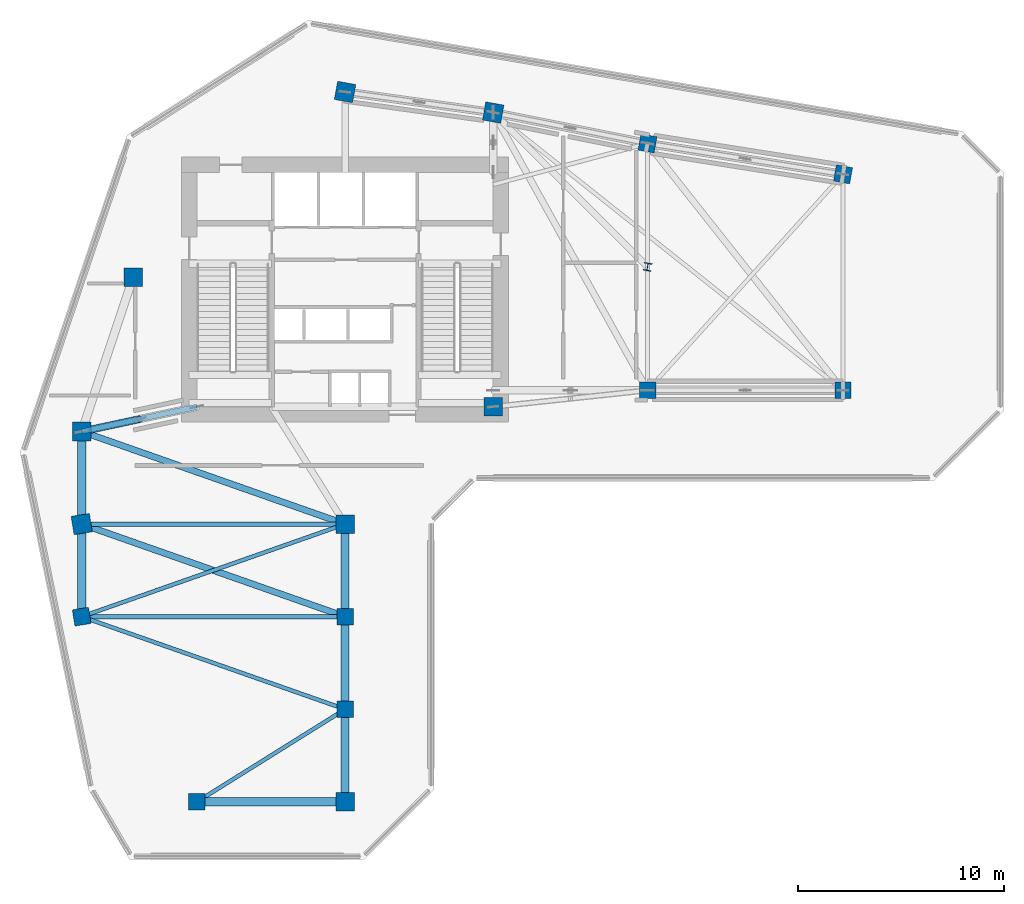
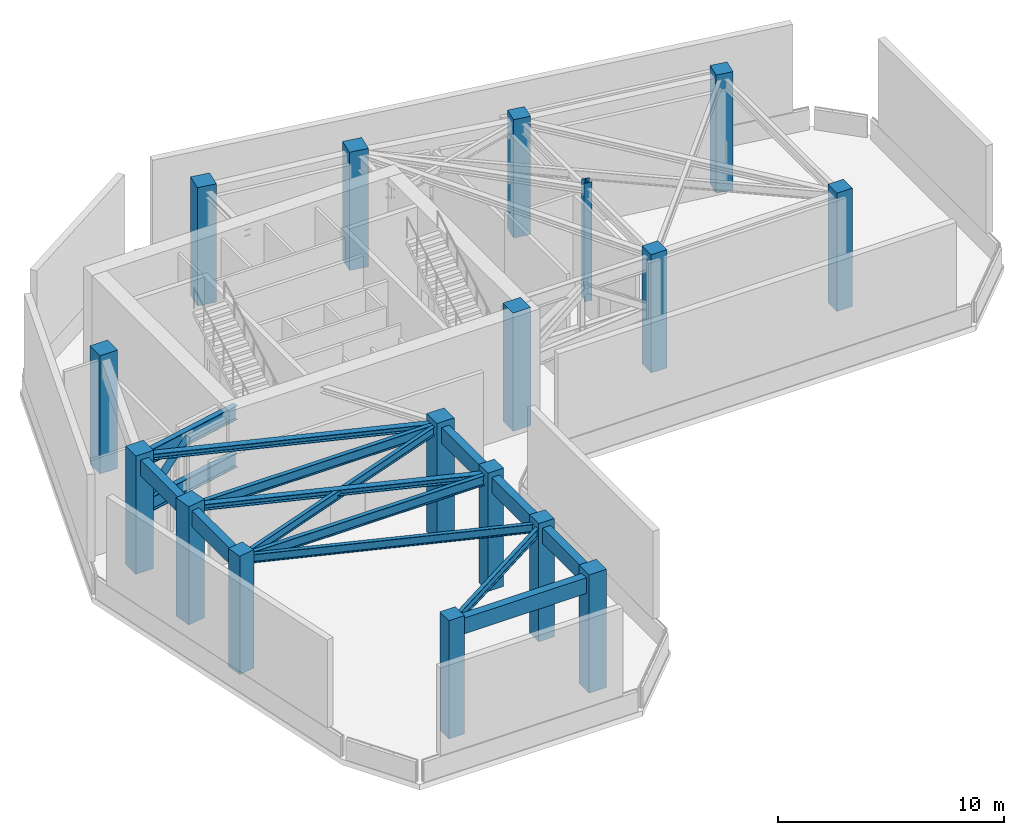
# One storey, part 1 of 10: 17 columns, 15 beams, 1 member.
"""IFC4 building model written with IfcOpenShell, lengths in metres."""

import ifcopenshell
import ifcopenshell.guid

model = None  # the IFC model being written
_history = None  # IfcOwnerHistory: only IFC2X3 demands one
_inside = {}  # id of a spatial element -> (the spatial element, [elements in it])
_under = {}  # id of a project, library or spatial element -> (it, [spatial elements below it])
_declared = {}  # id of a project -> (the project, [libraries it declares])
_typed = {}  # id of a type object -> (the type object, [elements of that type])
_made_of = {}  # id of a material, layer set ... -> (it, [elements and type objects made of it])


def new_model(schema):
    """Start an empty IFC model of exactly this schema.

    Asked for "IFC4X3", IfcOpenShell would pick the latest addendum, in which some entities
    have other attributes; the version numbers below select the first issue.
    IFC2X3 requires an IfcOwnerHistory on every rooted entity: one is made here for all.
    """
    global model, _history
    if schema == "IFC4X3":
        model = ifcopenshell.file(schema_version=(4, 3, 0, 0))
    else:
        model = ifcopenshell.file(schema=schema)
    _inside.clear()
    _under.clear()
    _declared.clear()
    _typed.clear()
    _made_of.clear()
    _history = None
    if model.schema == "IFC2X3":
        org = make("IfcOrganization", Name="unknown")
        user = make(
            "IfcPersonAndOrganization",
            ThePerson=make("IfcPerson", FamilyName="unknown"),
            TheOrganization=org,
        )
        app = make(
            "IfcApplication",
            ApplicationDeveloper=org,
            Version="unknown",
            ApplicationFullName="unknown",
            ApplicationIdentifier="unknown",
        )
        _history = make(
            "IfcOwnerHistory",
            OwningUser=user,
            OwningApplication=app,
            ChangeAction="ADDED",
            CreationDate=0,
        )
    return model


def make(cls, **values):
    """One entity of the class cls with the attributes given. An attribute that is None is left unset."""
    return model.create_entity(
        cls, **{name: value for name, value in values.items() if value is not None}
    )


def rooted(cls, **values):
    """An entity with a GlobalId (a new one), such as an element, a storey or a relation."""
    return make(cls, GlobalId=ifcopenshell.guid.new(), OwnerHistory=_history, **values)


def si_unit(unit_type, name, prefix=None):
    """IfcSIUnit, for example si_unit("LENGTHUNIT", "METRE", prefix="MILLI")."""
    return make("IfcSIUnit", UnitType=unit_type, Prefix=prefix, Name=name)


def assignment(units):
    """IfcUnitAssignment: the units of a project."""
    return None if units is None else make("IfcUnitAssignment", Units=units)


def point(xyz):
    """IfcCartesianPoint."""
    return None if xyz is None else make("IfcCartesianPoint", Coordinates=xyz)


def direction(xyz):
    """IfcDirection."""
    return None if xyz is None else make("IfcDirection", DirectionRatios=xyz)


def frame(location, z_axis=None, x_axis=None):
    """IfcAxis2Placement3D, a coordinate frame: its origin and axes. An axis left out is left unset."""
    return make(
        "IfcAxis2Placement3D",
        Location=point(location),
        Axis=direction(z_axis),
        RefDirection=direction(x_axis),
    )


def frame_2d(location, x_axis=None):
    """IfcAxis2Placement2D, a coordinate frame in the plane: its origin and x axis."""
    return make(
        "IfcAxis2Placement2D", Location=point(location), RefDirection=direction(x_axis)
    )


def origin():
    """The frame at (0, 0, 0) with its axes left unset."""
    return frame((0.0, 0.0, 0.0))


def origin_2d():
    """The frame at (0, 0) in the plane with its x axis left unset."""
    return frame_2d((0.0, 0.0))


def place(relative_to, where):
    """IfcLocalPlacement: puts the frame where relative to a parent placement (None: the world)."""
    return make(
        "IfcLocalPlacement", PlacementRelTo=relative_to, RelativePlacement=where
    )


def context(
    kind, dimensions, precision=None, world=None, true_north=None, identifier=None
):
    """IfcGeometricRepresentationContext, for example the 3D "Model" context."""
    return make(
        "IfcGeometricRepresentationContext",
        ContextIdentifier=identifier,
        ContextType=kind,
        CoordinateSpaceDimension=dimensions,
        Precision=precision,
        WorldCoordinateSystem=world,
        TrueNorth=true_north,
    )


def subcontext(parent, identifier, kind, view, scale=None):
    """IfcGeometricRepresentationSubContext, for example "Body" below "Model"."""
    return make(
        "IfcGeometricRepresentationSubContext",
        ContextIdentifier=identifier,
        ContextType=kind,
        ParentContext=parent,
        TargetScale=scale,
        TargetView=view,
    )


def project(units=None, contexts=None):
    """IfcProject with its units and contexts."""
    return rooted(
        "IfcProject",
        Name="project",
        RepresentationContexts=contexts,
        UnitsInContext=assignment(units),
    )


def spatial(cls, under=None, at=None, **own):
    """A site, building, storey or space (cls), placed at a placement, below another one or the project."""
    s = rooted(cls, ObjectPlacement=at, **own)
    if under is not None:
        _under.setdefault(under.id(), (under, []))[1].append(s)
    return s


def profile(cls, at=None, kind="AREA", **sizes):
    """A parametric profile (cls). Its sizes go by their IFC names, for example OverallWidth=200.0."""
    return make(cls, ProfileType=kind, Position=at, **sizes)


def rectangle(**sizes):
    """IfcRectangleProfileDef."""
    return profile("IfcRectangleProfileDef", **sizes)


def hollow_circle(**sizes):
    """IfcCircleHollowProfileDef."""
    return profile("IfcCircleHollowProfileDef", **sizes)


def i_section(**sizes):
    """IfcIShapeProfileDef."""
    return profile("IfcIShapeProfileDef", **sizes)


def extrude(swept, where, along, depth):
    """IfcExtrudedAreaSolid: the profile swept, set in the frame where, extruded along a direction by depth."""
    return make(
        "IfcExtrudedAreaSolid",
        SweptArea=swept,
        Position=where,
        ExtrudedDirection=direction(along),
        Depth=depth,
    )


def shape(context_of_items, identifier, shape_type, items):
    """IfcShapeRepresentation: the items that make up one representation, for example the "Body"."""
    return make(
        "IfcShapeRepresentation",
        ContextOfItems=context_of_items,
        RepresentationIdentifier=identifier,
        RepresentationType=shape_type,
        Items=items,
    )


def source(mapping_origin, context_of_items, identifier, shape_type, items):
    """IfcRepresentationMap: a shape defined once, which mapped items show again and again."""
    return make(
        "IfcRepresentationMap",
        MappingOrigin=mapping_origin,
        MappedRepresentation=shape(context_of_items, identifier, shape_type, items),
    )


def transform(
    local_origin,
    x_axis=None,
    y_axis=None,
    z_axis=None,
    scale=None,
    scale2=None,
    scale3=None,
    uniform=True,
):
    """IfcCartesianTransformationOperator3D, or its non-uniform kind. x_axis, y_axis, z_axis: its Axis1, 2, 3."""
    if uniform:
        return make(
            "IfcCartesianTransformationOperator3D",
            Axis1=direction(x_axis),
            Axis2=direction(y_axis),
            LocalOrigin=point(local_origin),
            Scale=scale,
            Axis3=direction(z_axis),
        )
    return make(
        "IfcCartesianTransformationOperator3DnonUniform",
        Axis1=direction(x_axis),
        Axis2=direction(y_axis),
        LocalOrigin=point(local_origin),
        Scale=scale,
        Axis3=direction(z_axis),
        Scale2=scale2,
        Scale3=scale3,
    )


def mapped(mapping_source, mapping_target):
    """IfcMappedItem: shows the shape of a source again, moved by a transform."""
    return make(
        "IfcMappedItem", MappingSource=mapping_source, MappingTarget=mapping_target
    )


def material(Name=None, Category=None):
    """IfcMaterial."""
    return make("IfcMaterial", Name=Name, Category=Category)


def material_profile(
    of_material, cross_section, Name=None, Category=None, Priority=None
):
    """IfcMaterialProfile: a cross section and its material."""
    return make(
        "IfcMaterialProfile",
        Name=Name,
        Material=of_material,
        Profile=cross_section,
        Priority=Priority,
        Category=Category,
    )


def profile_set(profiles, Name=None, composite=None):
    """IfcMaterialProfileSet."""
    return make(
        "IfcMaterialProfileSet",
        Name=Name,
        MaterialProfiles=profiles,
        CompositeProfile=composite,
    )


def made_of(thing, what):
    """Note that an element or type object is made of a material, layer set ...; save() writes the relation."""
    if what is not None:
        _made_of.setdefault(what.id(), (what, []))[1].append(thing)
    return thing


def type_object(cls, material=None, **own):
    """A type object (cls), such as IfcWallType, which elements share."""
    return made_of(rooted(cls, **own), material)


def element(
    cls,
    number,
    at=None,
    inside=None,
    cuts=None,
    type_object=None,
    material=None,
    context=None,
    identifier="Body",
    shape_type=None,
    held_by="IfcProductDefinitionShape",
    body=None,
    shapes=None,
    **own,
):
    """One element of the class cls, such as IfcWall. Its Tag is "e" and its number.

    at: its placement. inside: the storey or other place that contains it. cuts: it is an
    opening in that element (IfcRelVoidsElement). A single representation is given by context,
    identifier, shape_type and body (its items); several are given by shapes. held_by: the class
    of the entity that holds the representations. save() writes the other relations.
    """
    e = rooted(cls, Tag="e%d" % number, ObjectPlacement=at, **own)
    if body is not None:
        shapes = [shape(context, identifier, shape_type, body)]
    if shapes is not None:
        e.Representation = make(held_by, Representations=shapes)
    if inside is not None:
        _inside.setdefault(inside.id(), (inside, []))[1].append(e)
    if cuts is not None:
        rooted(
            "IfcRelVoidsElement", RelatingBuildingElement=cuts, RelatedOpeningElement=e
        )
    if type_object is not None:
        _typed.setdefault(type_object.id(), (type_object, []))[1].append(e)
    return made_of(e, material)


def aggregate(whole, parts):
    """IfcRelAggregates: a whole, such as a stair, and the parts it consists of."""
    return rooted("IfcRelAggregates", RelatingObject=whole, RelatedObjects=parts)


def save(model, path):
    """Write the relations noted so far, then the file.

    IfcRelAggregates (storeys below a building ...), IfcRelContainedInSpatialStructure (elements
    in a storey), IfcRelDefinesByType, IfcRelAssociatesMaterial and IfcRelDeclares: one each for
    every whole, place, type object, material and project.
    """
    for whole, parts in _under.values():
        aggregate(whole, parts)
    for where, things in _inside.values():
        rooted(
            "IfcRelContainedInSpatialStructure",
            RelatedElements=things,
            RelatingStructure=where,
        )
    for kind, things in _typed.values():
        rooted("IfcRelDefinesByType", RelatedObjects=things, RelatingType=kind)
    for what, things in _made_of.values():
        rooted("IfcRelAssociatesMaterial", RelatedObjects=things, RelatingMaterial=what)
    for by, libraries in _declared.values():
        rooted("IfcRelDeclares", RelatingContext=by, RelatedDefinitions=libraries)
    model.write(path)


model = new_model("IFC4")

# Units and contexts
model_context = context("Model", 3, precision=1e-05, world=origin(), true_north=direction((0.0, 1.0)))
body_context = subcontext(model_context, "Body", "Model", "MODEL_VIEW")
ifc_project = project(units=[si_unit("LENGTHUNIT", "METRE"), si_unit("AREAUNIT", "SQUARE_METRE"), si_unit("VOLUMEUNIT", "CUBIC_METRE"), si_unit("PLANEANGLEUNIT", "RADIAN"), si_unit("MASSUNIT", "GRAM", prefix="KILO")], contexts=[model_context])

# Site, building, storey
site_placement = place(None, origin())
site = spatial("IfcSite", under=ifc_project, at=site_placement, CompositionType="ELEMENT")
building_placement = place(site_placement, origin())
building = spatial("IfcBuilding", under=site, at=building_placement, Name="Calvemar Wedge Station Tower", CompositionType="ELEMENT")
storey_placement = place(building_placement, frame((0.0, 0.0, 171.800048828125)))
storey = spatial("IfcBuildingStorey", under=building, at=storey_placement, Name="L43", CompositionType="ELEMENT", Elevation=171.800048828125)

# Columns
ifc_material_1 = material(Name="Structural steel ASTM A572 Grade 50", Category="steel")
ifc_material_profile_1 = material_profile(ifc_material_1, i_section(OverallWidth=0.3740234375, OverallDepth=0.3720703125, WebThickness=0.016357421875, FlangeThickness=0.026123046875, FilletRadius=0.014892578125, at=origin_2d()), Name="W360x196")
ifc_profile_set_1 = profile_set([ifc_material_profile_1], Name="Structural steel ASTM A572 Grade 50")
column_type_1 = type_object("IfcColumnType", Name="COL-STL-W360", PredefinedType="COLUMN", material=ifc_profile_set_1)
shared_shape_1 = source(origin(), body_context, "Body", "SweptSolid", [
    extrude(i_section(OverallWidth=0.3740234375, OverallDepth=0.3720703125, WebThickness=0.016357421875, FlangeThickness=0.026123046875, FilletRadius=0.014892578125, at=origin_2d()), origin(), (0.0, 0.0, 1.0), 6.39990234375),
])
column_placement = place(storey_placement, frame((38.5, 41.0, 0.0), z_axis=(0.0, 0.0, 1.0), x_axis=(0.984195607969, -0.17708474032, 0.0)))
element("IfcColumn", 1, at=column_placement, inside=storey, type_object=column_type_1, Name="Storey L43 Column T-NTIP-B", PredefinedType="COLUMN", context=body_context, shape_type="MappedRepresentation", body=[
    mapped(shared_shape_1, transform((0.0, 0.0, 0.0), scale=1.0)),
])
ifc_material_2 = material(Name="Concrete C60", Category="concrete")
ifc_material_profile_2 = material_profile(ifc_material_2, rectangle(XDim=0.89990234375, YDim=0.89990234375, at=origin_2d()), Name="RC900x900")
ifc_profile_set_2 = profile_set([ifc_material_profile_2], Name="Concrete C60")
column_type_2 = type_object("IfcColumnType", Name="COL-C5-900", PredefinedType="COLUMN", material=ifc_profile_set_2)
shared_shape_2 = source(origin(), body_context, "Body", "SweptSolid", [
    extrude(rectangle(XDim=0.89990234375, YDim=0.89990234375, at=origin_2d()), origin(), (0.0, 0.0, 1.0), 6.39990234375),
])
for number, where, z_axis, x_axis, name in (
    (2, (11.0, 33.0, 0.0), (0.0, 0.0, 1.0), (1.0, 0.0, 0.0), "Storey L43 Column T-NW1"),
    (3, (13.5, 40.5, 0.0), (0.0, 0.0, 1.0), (1.0, 0.0, 0.0), "Storey L43 Column T-NW2"),
    (4, (23.800048828125, 49.5, 0.0), (0.0, 0.0, 1.0), (0.984195607969, -0.17708474032, 0.0), "Storey L43 Column T-N1"),
    (5, (31.0, 48.5, 0.0), (0.0, 0.0, 1.0), (0.984195607969, -0.17708474032, 0.0), "Storey L43 Column T-N2"),
    (6, (31.0, 34.199951171875, 0.0), (0.0, 0.0, 1.0), (1.0, 0.0, 0.0), "Storey L43 Column T-NL1"),
    (7, (11.0, 28.5, 0.0), (0.0, 0.0, 1.0), (0.158158067254, -0.987413806751, 0.0), "Storey L43 Column T-SW1"),
    (8, (23.800048828125, 28.5, 0.0), (0.0, 0.0, 1.0), (1.0, 0.0, 0.0), "Storey L43 Column T-SE1"),
    (9, (23.800048828125, 15.0, 0.0), (0.0, 0.0, 1.0), (1.0, 0.0, 0.0), "Storey L43 Column T-SE4"),
):
    element("IfcColumn", number, at=place(storey_placement, frame(where, z_axis=z_axis, x_axis=x_axis)), inside=storey, type_object=column_type_2, Name=name, PredefinedType="COLUMN", context=body_context, shape_type="MappedRepresentation", body=[
        mapped(shared_shape_2, transform((0.0, 0.0, 0.0), scale=1.0)),
    ])
ifc_material_3 = material(Name="Concrete C50", Category="concrete")
ifc_material_profile_3 = material_profile(ifc_material_3, rectangle(XDim=0.800048828125, YDim=0.800048828125, at=origin_2d()), Name="RC800x800")
ifc_profile_set_3 = profile_set([ifc_material_profile_3], Name="Concrete C50")
column_type_3 = type_object("IfcColumnType", Name="COL-C6-800", PredefinedType="COLUMN", material=ifc_profile_set_3)
shared_shape_3 = source(origin(), body_context, "Body", "SweptSolid", [
    extrude(rectangle(XDim=0.800048828125, YDim=0.800048828125, at=origin_2d()), origin(), (0.0, 0.0, 1.0), 6.39990234375),
])
for number, where, z_axis, x_axis, name in (
    (10, (38.5, 47.0, 0.0), (0.0, 0.0, 1.0), (0.984195607969, -0.17708474032, 0.0), "Storey L43 Column T-NU3"),
    (11, (48.0, 45.5, 0.0), (0.0, 0.0, 1.0), (0.984195607969, -0.17708474032, 0.0), "Storey L43 Column T-NU4"),
    (12, (38.5, 35.0, 0.0), (0.0, 0.0, 1.0), (1.0, 0.0, 0.0), "Storey L43 Column T-NL2"),
    (13, (48.0, 35.0, 0.0), (0.0, 0.0, 1.0), (1.0, 0.0, 0.0), "Storey L43 Column T-NL3"),
    (14, (11.0, 24.0, 0.0), (0.0, 0.0, 1.0), (0.158158067254, -0.987413806751, 0.0), "Storey L43 Column T-SW2"),
    (15, (23.800048828125, 24.0, 0.0), (0.0, 0.0, 1.0), (1.0, 0.0, 0.0), "Storey L43 Column T-SE2"),
    (16, (23.800048828125, 19.5, 0.0), (0.0, 0.0, 1.0), (1.0, 0.0, 0.0), "Storey L43 Column T-SE3"),
    (17, (16.60009765625, 15.0, 0.0), (0.0, 0.0, 1.0), (1.0, 0.0, 0.0), "Storey L43 Column T-SM1"),
):
    element("IfcColumn", number, at=place(storey_placement, frame(where, z_axis=z_axis, x_axis=x_axis)), inside=storey, type_object=column_type_3, Name=name, PredefinedType="COLUMN", context=body_context, shape_type="MappedRepresentation", body=[
        mapped(shared_shape_3, transform((0.0, 0.0, 0.0), scale=1.0)),
    ])

# Beams
ifc_material_profile_4 = material_profile(ifc_material_2, rectangle(XDim=0.39990234375, YDim=0.85009765625, at=origin_2d()), Name="RC400x850")
ifc_profile_set_4 = profile_set([ifc_material_profile_4], Name="Concrete C60")
beam_type_1 = type_object("IfcBeamType", Name="BM-SP1-850", PredefinedType="SPANDREL", material=ifc_profile_set_4)
shared_shape_4 = source(origin(), body_context, "Body", "SweptSolid", [
    extrude(rectangle(XDim=0.39990234375, YDim=0.85009765625, at=origin_2d()), origin(), (0.0, 0.0, 1.0), 4.5),
])
for number, where, z_axis, x_axis, name in (
    (18, (11.0, 33.0, 5.675048828125), (0.0, -1.0, 0.0), (1.0, 0.0, 0.0), "Storey L43 Spandrel T-NW1-T-SW1"),
    (19, (11.0, 28.5, 5.675048828125), (0.0, -1.0, 0.0), (1.0, 0.0, 0.0), "Storey L43 Spandrel T-SW1-T-SW2"),
    (20, (23.800048828125, 28.5, 5.675048828125), (0.0, -1.0, 0.0), (1.0, 0.0, 0.0), "Storey L43 Spandrel T-SE1-T-SE2"),
    (21, (23.800048828125, 24.0, 5.675048828125), (0.0, -1.0, 0.0), (1.0, 0.0, 0.0), "Storey L43 Spandrel T-SE2-T-SE3"),
    (22, (23.800048828125, 19.5, 5.675048828125), (0.0, -1.0, 0.0), (1.0, 0.0, 0.0), "Storey L43 Spandrel T-SE3-T-SE4"),
):
    element("IfcBeam", number, at=place(storey_placement, frame(where, z_axis=z_axis, x_axis=x_axis)), inside=storey, type_object=beam_type_1, Name=name, PredefinedType="SPANDREL", context=body_context, shape_type="MappedRepresentation", body=[
        mapped(shared_shape_4, transform((0.0, 0.0, 0.0), scale=1.0)),
    ])
shared_shape_5 = source(origin(), body_context, "Body", "SweptSolid", [
    extrude(rectangle(XDim=0.39990234375, YDim=0.85009765625, at=origin_2d()), origin(), (0.0, 0.0, 1.0), 7.199951171875),
])
beam_1_placement = place(storey_placement, frame((16.60009765625, 15.0, 5.675048828125), z_axis=(1.0, 0.0, 0.0), x_axis=(0.0, 1.0, 0.0)))
element("IfcBeam", 23, at=beam_1_placement, inside=storey, type_object=beam_type_1, Name="Storey L43 Spandrel T-SM1-T-SE4", PredefinedType="SPANDREL", context=body_context, shape_type="MappedRepresentation", body=[
    mapped(shared_shape_5, transform((0.0, 0.0, 0.0), scale=1.0)),
])
ifc_material_profile_5 = material_profile(ifc_material_1, i_section(OverallWidth=0.30908203125, OverallDepth=0.322998046875, WebThickness=0.013916015625, FlangeThickness=0.02294921875, FilletRadius=0.014892578125, at=origin_2d()), Name="W310x143")
ifc_profile_set_5 = profile_set([ifc_material_profile_5], Name="Structural steel ASTM A572 Grade 50")
beam_type_2 = type_object("IfcBeamType", Name="BM-J5-W310H", PredefinedType="JOIST", material=ifc_profile_set_5)
shared_shape_6 = source(origin(), body_context, "Body", "SweptSolid", [
    extrude(i_section(OverallWidth=0.30908203125, OverallDepth=0.322998046875, WebThickness=0.013916015625, FlangeThickness=0.02294921875, FilletRadius=0.014892578125, at=origin_2d()), origin(), (0.0, 0.0, 1.0), 13.568115234375),
])
for number, where, z_axis, x_axis, name in (
    (24, (11.0, 33.0, 5.9384765625), (0.943398221169, -0.331662171939, 0.0), (0.331662171939, 0.943398221169, 0.0), "Storey L43 Floor Beam T-NW1-T-SE1"),
    (25, (11.0, 28.5, 5.9384765625), (0.943398221169, -0.331662171939, 0.0), (0.331662171939, 0.943398221169, 0.0), "Storey L43 Floor Beam T-SW1-T-SE2"),
):
    element("IfcBeam", number, at=place(storey_placement, frame(where, z_axis=z_axis, x_axis=x_axis)), inside=storey, type_object=beam_type_2, Name=name, PredefinedType="JOIST", context=body_context, shape_type="MappedRepresentation", body=[
        mapped(shared_shape_6, transform((0.0, 0.0, 0.0), scale=1.0)),
    ])
ifc_material_profile_6 = material_profile(ifc_material_1, i_section(OverallWidth=0.19189453125, OverallDepth=0.462890625, WebThickness=0.010498046875, FlangeThickness=0.017578125, FilletRadius=0.012939453125, at=origin_2d()), Name="W460x89")
ifc_profile_set_6 = profile_set([ifc_material_profile_6], Name="Structural steel ASTM A572 Grade 50")
beam_type_3 = type_object("IfcBeamType", Name="BM-J1-W460", PredefinedType="JOIST", material=ifc_profile_set_6)
shared_shape_7 = source(origin(), body_context, "Body", "SweptSolid", [
    extrude(i_section(OverallWidth=0.19189453125, OverallDepth=0.462890625, WebThickness=0.010498046875, FlangeThickness=0.017578125, FilletRadius=0.012939453125, at=origin_2d()), origin(), (0.0, 0.0, 1.0), 13.568115234375),
])
for number, where, z_axis, x_axis, name in (
    (26, (23.800048828125, 28.5, 5.868408203125), (-0.943398221169, -0.331662171939, 0.0), (0.331662171939, -0.943398221169, 0.0), "Storey L43 Floor Beam T-SE1-T-SW2"),
    (27, (11.0, 24.0, 5.868408203125), (0.943398221169, -0.331662171939, 0.0), (0.331662171939, 0.943398221169, 0.0), "Storey L43 Floor Beam T-SW2-T-SE3"),
):
    element("IfcBeam", number, at=place(storey_placement, frame(where, z_axis=z_axis, x_axis=x_axis)), inside=storey, type_object=beam_type_3, Name=name, PredefinedType="JOIST", context=body_context, shape_type="MappedRepresentation", body=[
        mapped(shared_shape_7, transform((0.0, 0.0, 0.0), scale=1.0)),
    ])
shared_shape_8 = source(origin(), body_context, "Body", "SweptSolid", [
    extrude(i_section(OverallWidth=0.19189453125, OverallDepth=0.462890625, WebThickness=0.010498046875, FlangeThickness=0.017578125, FilletRadius=0.012939453125, at=origin_2d()), origin(), (0.0, 0.0, 1.0), 8.490478515625),
])
beam_2_placement = place(storey_placement, frame((23.800048828125, 19.5, 5.868408203125), z_axis=(-0.847996688584, -0.530001524668, 0.0), x_axis=(0.530001524668, -0.847996688584, 0.0)))
element("IfcBeam", 28, at=beam_2_placement, inside=storey, type_object=beam_type_3, Name="Storey L43 Floor Beam T-SE3-T-SM1", PredefinedType="JOIST", context=body_context, shape_type="MappedRepresentation", body=[
    mapped(shared_shape_8, transform((0.0, 0.0, 0.0), scale=1.0)),
])
ifc_material_profile_7 = material_profile(ifc_material_1, i_section(OverallWidth=0.27001953125, OverallDepth=0.77294921875, WebThickness=0.018798828125, FlangeThickness=0.0322265625, FilletRadius=0.01806640625, at=origin_2d()), Name="W760x257")
ifc_profile_set_7 = profile_set([ifc_material_profile_7], Name="Structural steel ASTM A572 Grade 50")
beam_type_4 = type_object("IfcBeamType", Name="BM-OT1-W760", PredefinedType="BEAM", material=ifc_profile_set_7)
shared_shape_9 = source(origin(), body_context, "Body", "SweptSolid", [
    extrude(i_section(OverallWidth=0.27001953125, OverallDepth=0.77294921875, WebThickness=0.018798828125, FlangeThickness=0.0322265625, FilletRadius=0.01806640625, at=origin_2d()), origin(), (0.0, 0.0, 1.0), 5.727294921875),
])
for number, where, z_axis, x_axis, name in (
    (29, (16.60009765625, 34.199951171875, 3.136474609375), (-0.977804909315, -0.209517443948, 0.0), (0.209517443948, -0.977804909315, 0.0), "L43 Outrigger OT-W Bottom Chord"),
    (30, (16.60009765625, 34.199951171875, 5.71337890625), (-0.977804909315, -0.209517443948, 0.0), (0.209517443948, -0.977804909315, 0.0), "L43 Outrigger OT-W Top Chord"),
):
    element("IfcBeam", number, at=place(storey_placement, frame(where, z_axis=z_axis, x_axis=x_axis)), inside=storey, type_object=beam_type_4, Name=name, PredefinedType="BEAM", context=body_context, shape_type="MappedRepresentation", body=[
        mapped(shared_shape_9, transform((0.0, 0.0, 0.0), scale=1.0)),
    ])
ifc_material_profile_8 = material_profile(ifc_material_1, i_section(OverallWidth=0.2109375, OverallDepth=0.5390625, WebThickness=0.01171875, FlangeThickness=0.018798828125, FilletRadius=0.012939453125, at=origin_2d()), Name="W530x109")
ifc_profile_set_8 = profile_set([ifc_material_profile_8], Name="Structural steel ASTM A572 Grade 50")
beam_type_5 = type_object("IfcBeamType", Name="BM-SB4-W530", PredefinedType="BEAM", material=ifc_profile_set_8)
shared_shape_10 = source(origin(), body_context, "Body", "SweptSolid", [
    extrude(i_section(OverallWidth=0.2109375, OverallDepth=0.5390625, WebThickness=0.01171875, FlangeThickness=0.018798828125, FilletRadius=0.012939453125, at=origin_2d()), origin(), (0.0, 0.0, 1.0), 12.800048828125),
])
for number, where, z_axis, x_axis, name in (
    (31, (11.0, 28.5, 5.83056640625), (1.0, 0.0, 0.0), (0.0, 1.0, 0.0), "Storey L43 Floor Beam T-SW1-T-SE1"),
    (32, (11.0, 24.0, 5.83056640625), (1.0, 0.0, 0.0), (0.0, 1.0, 0.0), "Storey L43 Floor Beam T-SW2-T-SE2"),
):
    element("IfcBeam", number, at=place(storey_placement, frame(where, z_axis=z_axis, x_axis=x_axis)), inside=storey, type_object=beam_type_5, Name=name, PredefinedType="BEAM", context=body_context, shape_type="MappedRepresentation", body=[
        mapped(shared_shape_10, transform((0.0, 0.0, 0.0), scale=1.0)),
    ])

# Member
ifc_material_profile_9 = material_profile(ifc_material_1, hollow_circle(Radius=0.177734375, WallThickness=0.02001953125, at=origin_2d()), Name="CHS355.6x20")
ifc_profile_set_9 = profile_set([ifc_material_profile_9], Name="Structural steel ASTM A572 Grade 50")
member_type = type_object("IfcMemberType", Name="MEM-D4-CHS355", PredefinedType="BRACE", material=ifc_profile_set_9)
shared_shape_11 = source(origin(), body_context, "Body", "SweptSolid", [
    extrude(hollow_circle(Radius=0.177734375, WallThickness=0.02001953125, at=origin_2d()), origin(), (0.0, 0.0, 1.0), 3.852294921875),
])
member_placement = place(storey_placement, frame((13.800048828125, 33.60009765625, 5.71337890625), z_axis=(-0.72683622215, -0.155773252598, -0.668912400801), x_axis=(0.209558200297, -0.977796175431, 0.0)))
element("IfcMember", 33, at=member_placement, inside=storey, type_object=member_type, Name="L43 Outrigger OT-W Diagonal 2", PredefinedType="BRACE", context=body_context, shape_type="MappedRepresentation", body=[
    mapped(shared_shape_11, transform((0.0, 0.0, 0.0), scale=1.0)),
])

save(model, "model.ifc")
